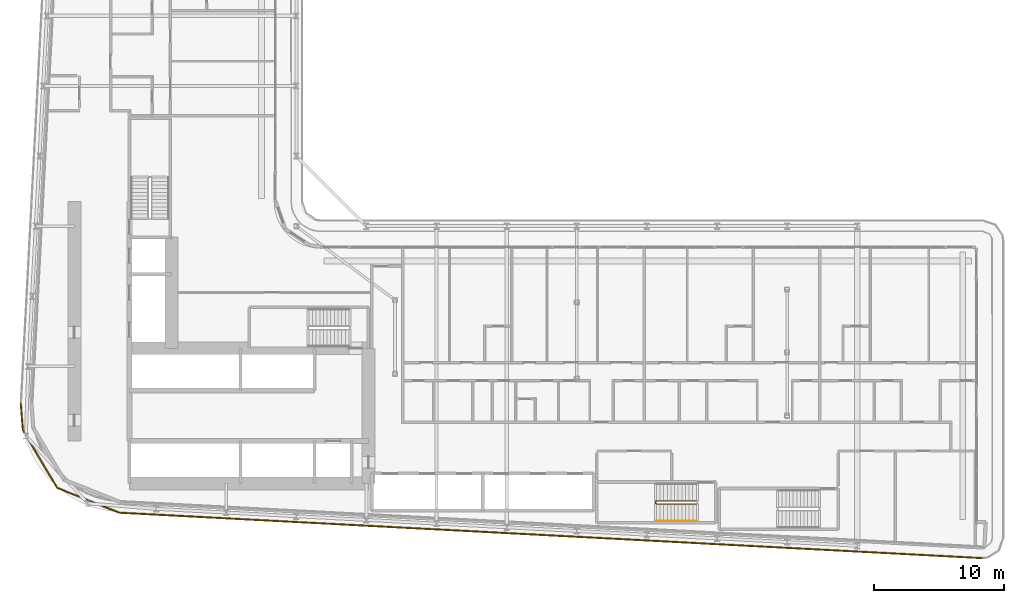
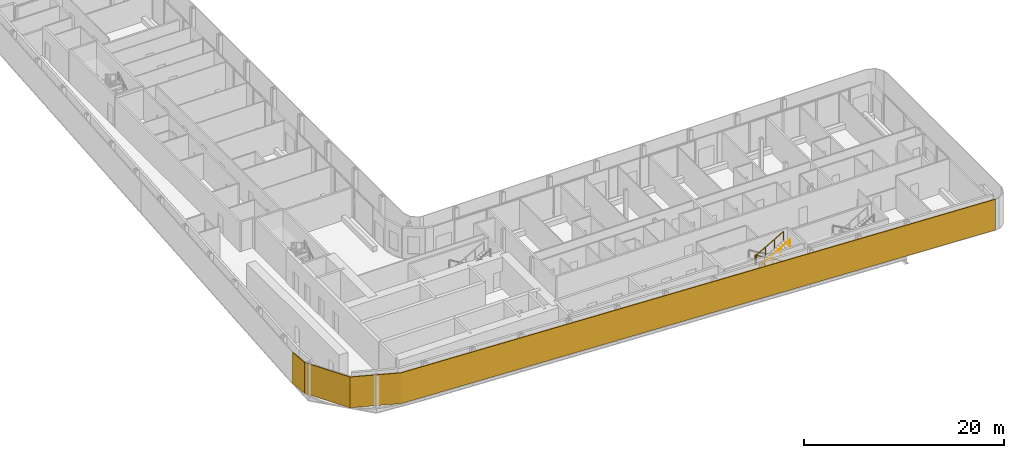
# One storey, part 25 of 29: 2 railings, 1 shading device.
"""IFC4 building model written with IfcOpenShell, lengths in metres."""

from ifc_helpers import new_model, si_unit, direction, frame, origin, origin_2d, place, context, subcontext, project, spatial, polyline, circle, outline, extrude, material, layer, layer_set, type_object, element, save


model = new_model("IFC4")

# Units and contexts
model_context = context("Model", 3, precision=1e-05, world=origin(), true_north=direction((0.0, 1.0)))
body_context = subcontext(model_context, "Body", "Model", "MODEL_VIEW")
ifc_project = project(units=[si_unit("LENGTHUNIT", "METRE"), si_unit("AREAUNIT", "SQUARE_METRE"), si_unit("VOLUMEUNIT", "CUBIC_METRE"), si_unit("PLANEANGLEUNIT", "RADIAN"), si_unit("MASSUNIT", "GRAM", prefix="KILO")], contexts=[model_context])

# Site, building, storey
site_placement = place(None, origin())
site = spatial("IfcSite", under=ifc_project, at=site_placement, CompositionType="ELEMENT")
building_placement = place(site_placement, origin())
building = spatial("IfcBuilding", under=site, at=building_placement, Name="Kheshtan School and Residences Tower", CompositionType="ELEMENT")
storey_placement = place(building_placement, frame((0.0, 0.0, 65.60009765625)))
storey = spatial("IfcBuildingStorey", under=building, at=storey_placement, Name="L15", CompositionType="ELEMENT", Elevation=65.60009765625)

# Shading device
ifc_material_1 = material(Name="Terracotta baguette, extruded ceramic", Category="masonry")
ifc_layer = layer(ifc_material_1, 0.10009765625)
ifc_layer_set = layer_set([ifc_layer], Name="Ledge screen, terracotta baguettes")
shading_device_type = type_object("IfcShadingDeviceType", Name="Ledge screen, terracotta baguettes", PredefinedType="USERDEFINED", material=ifc_layer_set)
shading_device_placement = place(storey_placement, origin())
element("IfcShadingDevice", 1, at=shading_device_placement, inside=storey, type_object=shading_device_type, Name="Screen L15 3", ObjectType="BAGUETTE", PredefinedType="USERDEFINED", context=body_context, shape_type="SweptSolid", body=[
    extrude(outline(polyline([(100.4208984375, 20.0830078125), (33.989013671875, 23.580078125), (29.2119140625, 25.486083984375), (26.583984375, 29.906982421875), (26.419921875, 31.989013671875), (26.320068359375, 31.98095703125), (26.486083984375, 29.8759765625), (29.14306640625, 25.406005859375), (33.967041015625, 23.48095703125), (100.416015625, 19.98291015625), (100.4208984375, 20.0830078125)])), origin(), (0.0, 0.0, 1.0), 3.75),
])

# Railings
ifc_material_2 = material(Name="Stainless steel balustrade", Category="steel")
railing_type_1 = type_object("IfcRailingType", Name="Stair guard 1100", PredefinedType="GUARDRAIL", material=ifc_material_2)
railing_1_placement = place(storey_placement, frame((78.409912109375, 24.449951171875, 0.162353515625)))
element("IfcRailing", 2, at=railing_1_placement, inside=storey, type_object=railing_type_1, Name="L15 ST5 stair guard 1", PredefinedType="GUARDRAIL", context=body_context, shape_type="SweptSolid", body=[
    extrude(circle(Radius=0.02392578125, at=origin_2d()), frame((0.0, 0.0, 1.076171875), z_axis=(-0.864873446163, 0.0, 0.501989962173), x_axis=(0.0, -1.0, 0.0)), (0.0, 0.0, 1.0), 3.56103515625),
    extrude(circle(Radius=0.02392578125, at=origin_2d()), frame((-3.079833984375, 0.0, 2.86376953125), z_axis=(-0.707106781187, -0.707106781187, 0.0), x_axis=(0.707106781187, -0.707106781187, 0.0)), (0.0, 0.0, 1.0), 0.07080078125),
    extrude(circle(Radius=0.02392578125, at=origin_2d()), frame((-3.1298828125, -0.050048828125, 2.86376953125), z_axis=(0.0, -1.0, 0.0), x_axis=(1.0, 0.0, 0.0)), (0.0, 0.0, 1.0), 0.14990234375),
    extrude(circle(Radius=0.02392578125, at=origin_2d()), frame((-3.1298828125, -0.199951171875, 2.86376953125), z_axis=(0.282583949758, -0.282583949758, 0.916674763849), x_axis=(0.707106781187, 0.707106781187, 0.0)), (0.0, 0.0, 1.0), 0.177001953125),
    extrude(circle(Radius=0.02392578125, at=origin_2d()), frame((-3.079833984375, -0.25, 3.02587890625), z_axis=(0.864873446163, 0.0, 0.501989962173), x_axis=(0.0, 1.0, 0.0)), (0.0, 0.0, 1.0), 3.56103515625),
    extrude(circle(Radius=0.02099609375, at=origin_2d()), origin(), (0.0, 0.0, 1.0), 1.052001953125),
    extrude(circle(Radius=0.02099609375, at=origin_2d()), frame((-1.026611328125, 0.0, 0.595947265625)), (0.0, 0.0, 1.0), 1.052001953125),
    extrude(circle(Radius=0.02099609375, at=origin_2d()), frame((-2.05322265625, 0.0, 1.191650390625)), (0.0, 0.0, 1.0), 1.052001953125),
    extrude(circle(Radius=0.02099609375, at=origin_2d()), frame((-3.079833984375, 0.0, 1.78759765625)), (0.0, 0.0, 1.0), 1.052001953125),
    extrude(circle(Radius=0.02099609375, at=origin_2d()), frame((-3.1298828125, -0.050048828125, 1.78759765625)), (0.0, 0.0, 1.0), 1.052001953125),
    extrude(circle(Radius=0.02099609375, at=origin_2d()), frame((-3.1298828125, -0.199951171875, 1.78759765625)), (0.0, 0.0, 1.0), 1.052001953125),
    extrude(circle(Radius=0.02099609375, at=origin_2d()), frame((-3.079833984375, -0.25, 1.949951171875)), (0.0, 0.0, 1.0), 1.052001953125),
    extrude(circle(Radius=0.02099609375, at=origin_2d()), frame((-2.05322265625, -0.25, 2.5458984375)), (0.0, 0.0, 1.0), 1.052001953125),
    extrude(circle(Radius=0.02099609375, at=origin_2d()), frame((-1.026611328125, -0.25, 3.1416015625)), (0.0, 0.0, 1.0), 1.052001953125),
    extrude(circle(Radius=0.02099609375, at=origin_2d()), frame((0.0, -0.25, 3.737548828125)), (0.0, 0.0, 1.0), 1.052001953125),
])
ifc_material_3 = material(Name="Stainless steel handrail", Category="steel")
railing_type_2 = type_object("IfcRailingType", Name="Stair handrail 900", PredefinedType="HANDRAIL", material=ifc_material_3)
railing_2_placement = place(storey_placement, frame((75.330078125, 22.89990234375, 2.1123046875)))
element("IfcRailing", 3, at=railing_2_placement, inside=storey, type_object=railing_type_2, Name="L15 ST5 stair handrail 2", PredefinedType="HANDRAIL", context=body_context, shape_type="SweptSolid", body=[
    extrude(circle(Radius=0.02392578125, at=origin_2d()), frame((0.0, 0.0, 0.8759765625), z_axis=(0.864873446163, 0.0, 0.501989962173), x_axis=(0.0, 1.0, 0.0)), (0.0, 0.0, 1.0), 3.56103515625),
    extrude(circle(Radius=0.02099609375, at=origin_2d()), origin(), (0.0, 0.0, 1.0), 0.851806640625),
    extrude(circle(Radius=0.02099609375, at=origin_2d()), frame((1.026611328125, 0.0, 0.595947265625)), (0.0, 0.0, 1.0), 0.851806640625),
    extrude(circle(Radius=0.02099609375, at=origin_2d()), frame((2.05322265625, 0.0, 1.191650390625)), (0.0, 0.0, 1.0), 0.851806640625),
    extrude(circle(Radius=0.02099609375, at=origin_2d()), frame((3.079833984375, 0.0, 1.78759765625)), (0.0, 0.0, 1.0), 0.851806640625),
])

save(model, "model.ifc")
